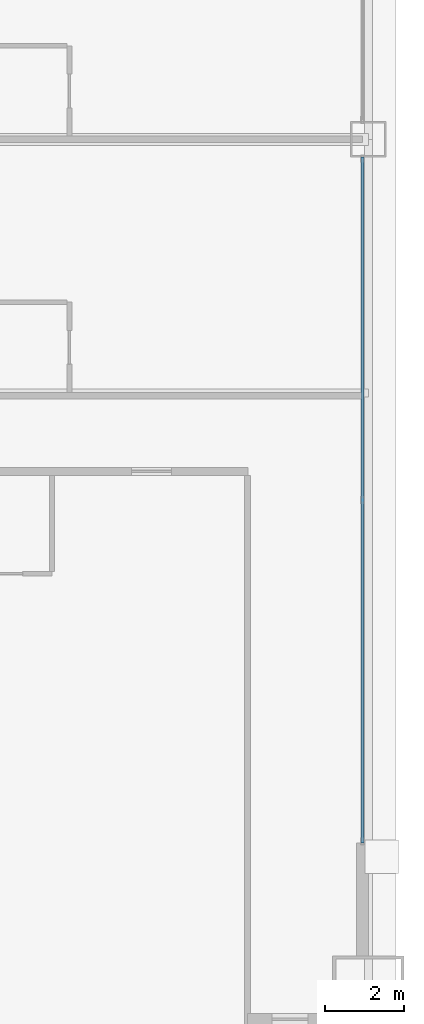
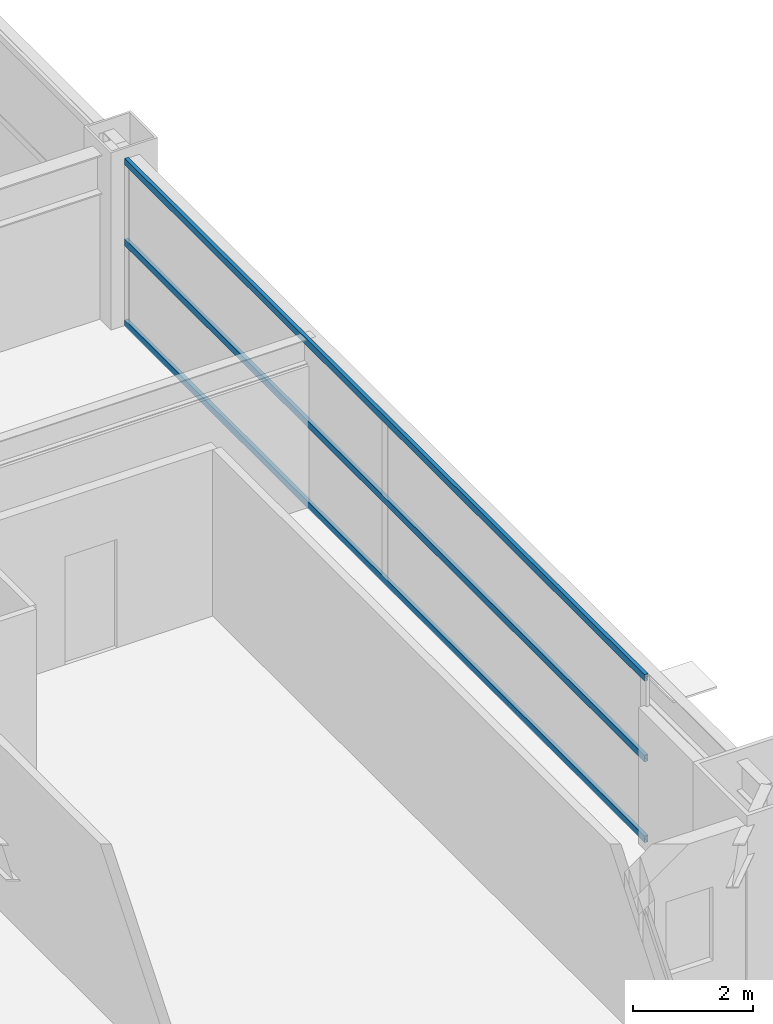
# One storey, part 21 of 45: 3 members, 1 element without a shape of its own.
"""IFC4 building model written with IfcOpenShell, lengths in metres."""

from ifc_helpers import new_model, si_unit, direction, frame, origin, origin_2d, place, context, subcontext, project, spatial, hollow_rectangle, extrude, source, transform, mapped, material, layer, layer_set, material_profile, profile_set, type_object, element, aggregate, save


model = new_model("IFC4")

# Units and contexts
model_context = context("Model", 3, precision=1e-05, world=origin(), true_north=direction((0.0, 1.0)))
body_context = subcontext(model_context, "Body", "Model", "MODEL_VIEW")
ifc_project = project(units=[si_unit("LENGTHUNIT", "METRE"), si_unit("AREAUNIT", "SQUARE_METRE"), si_unit("VOLUMEUNIT", "CUBIC_METRE"), si_unit("PLANEANGLEUNIT", "RADIAN"), si_unit("MASSUNIT", "GRAM", prefix="KILO"), si_unit("THERMODYNAMICTEMPERATUREUNIT", "KELVIN"), si_unit("POWERUNIT", "WATT")], contexts=[model_context])

# Site, building, storey
site_placement = place(None, origin())
site = spatial("IfcSite", under=ifc_project, at=site_placement, CompositionType="ELEMENT")
building_placement = place(site_placement, origin())
building = spatial("IfcBuilding", under=site, at=building_placement, Name="Yuzanri Waterfront Tower", CompositionType="ELEMENT")
storey_placement = place(building_placement, frame((0.0, 0.0, 34.199951171875)))
storey = spatial("IfcBuildingStorey", under=building, at=storey_placement, Name="L08", CompositionType="ELEMENT", Elevation=34.199951171875)

# Curtain wall, members
ifc_material_1 = material(Name="Anodized Architectural Bronze", Category="metal")
ifc_layer = layer(ifc_material_1, 0.159912109375)
ifc_layer_set = layer_set([ifc_layer], Name="Anodized Architectural Bronze")
curtain_wall_type = type_object("IfcCurtainWallType", Name="Anodized Bronze Hotel Lower-Tier Recessed Unitized Curtain Wall 8100", PredefinedType="NOTDEFINED", material=ifc_layer_set)
curtain_wall_placement = place(storey_placement, origin())
curtain_wall = element("IfcCurtainWall", 1, at=curtain_wall_placement, inside=storey, type_object=curtain_wall_type, Name="L08 Curtain Wall CW-L08-EL", PredefinedType="NOTDEFINED")
ifc_material_2 = material(Name="Anodized Architectural Bronze", Category="metal")
ifc_material_profile = material_profile(ifc_material_2, hollow_rectangle(XDim=0.070068359375, YDim=0.135009765625, WallThickness=0.00341796875, at=origin_2d()), Name="CWT 70x135")
ifc_profile_set = profile_set([ifc_material_profile], Name="Anodized Architectural Bronze")
member_type = type_object("IfcMemberType", Name="Anodized Bronze Standard Curtain-Wall Transom 70x135", PredefinedType="USERDEFINED", material=ifc_profile_set)
shared_shape = source(origin(), body_context, "Body", "SweptSolid", [
    extrude(hollow_rectangle(XDim=0.070068359375, YDim=0.135009765625, WallThickness=0.00341796875, at=origin_2d()), origin(), (0.0, 0.0, 1.0), 17.300048828125),
])
member_1_placement = place(storey_placement, frame((61.949951171875, 8.050048828125, 0.050048828125), z_axis=(0.0, 1.0, 0.0), x_axis=(-1.0, 0.0, 0.0)))
member_1 = element("IfcMember", 2, at=member_1_placement, type_object=member_type, Name="CW-L08-EL Transom 1", ObjectType="TRANSOM", PredefinedType="USERDEFINED", context=body_context, shape_type="MappedRepresentation", body=[
    mapped(shared_shape, transform((0.0, 0.0, 0.0), scale=1.0)),
])
member_2_placement = place(storey_placement, frame((61.949951171875, 8.050048828125, 1.68994140625), z_axis=(0.0, 1.0, 0.0), x_axis=(-1.0, 0.0, 0.0)))
member_2 = element("IfcMember", 3, at=member_2_placement, type_object=member_type, Name="CW-L08-EL Transom 2", ObjectType="TRANSOM", PredefinedType="USERDEFINED", context=body_context, shape_type="MappedRepresentation", body=[
    mapped(shared_shape, transform((0.0, 0.0, 0.0), scale=1.0)),
])
member_3_placement = place(storey_placement, frame((61.949951171875, 8.050048828125, 3.330078125), z_axis=(0.0, 1.0, 0.0), x_axis=(-1.0, 0.0, 0.0)))
member_3 = element("IfcMember", 4, at=member_3_placement, type_object=member_type, Name="CW-L08-EL Transom 3", ObjectType="TRANSOM", PredefinedType="USERDEFINED", context=body_context, shape_type="MappedRepresentation", body=[
    mapped(shared_shape, transform((0.0, 0.0, 0.0), scale=1.0)),
])
aggregate(curtain_wall, [member_1, member_2, member_3])

save(model, "model.ifc")
